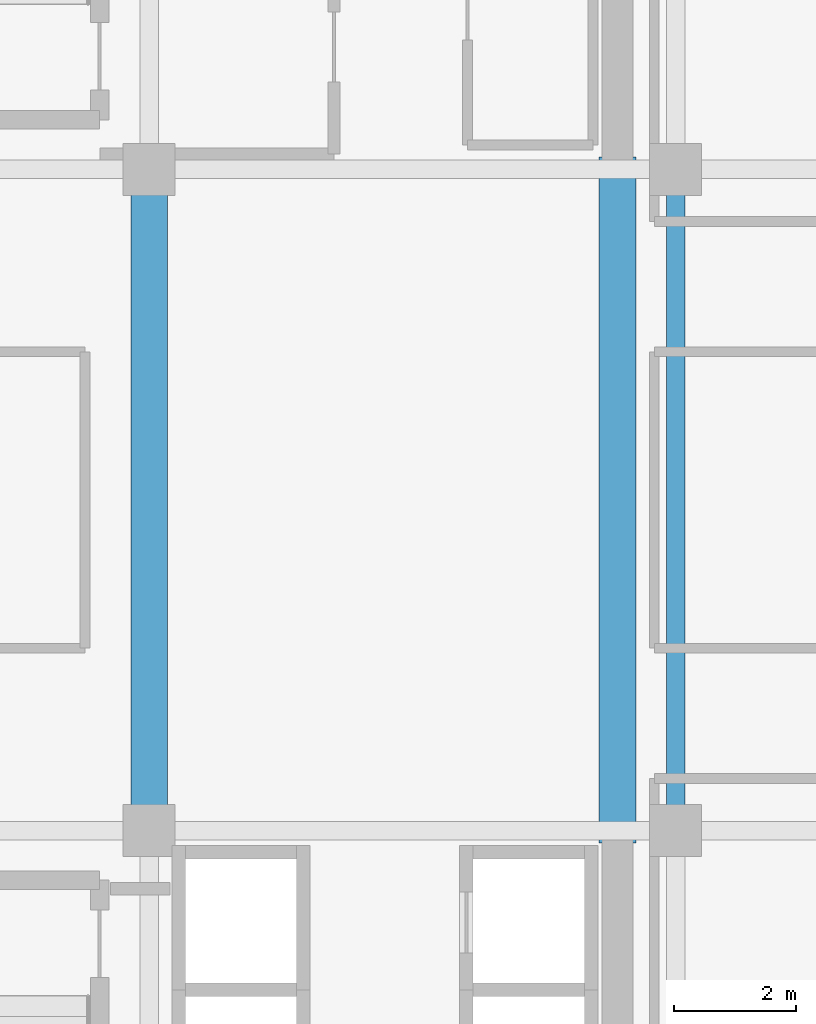
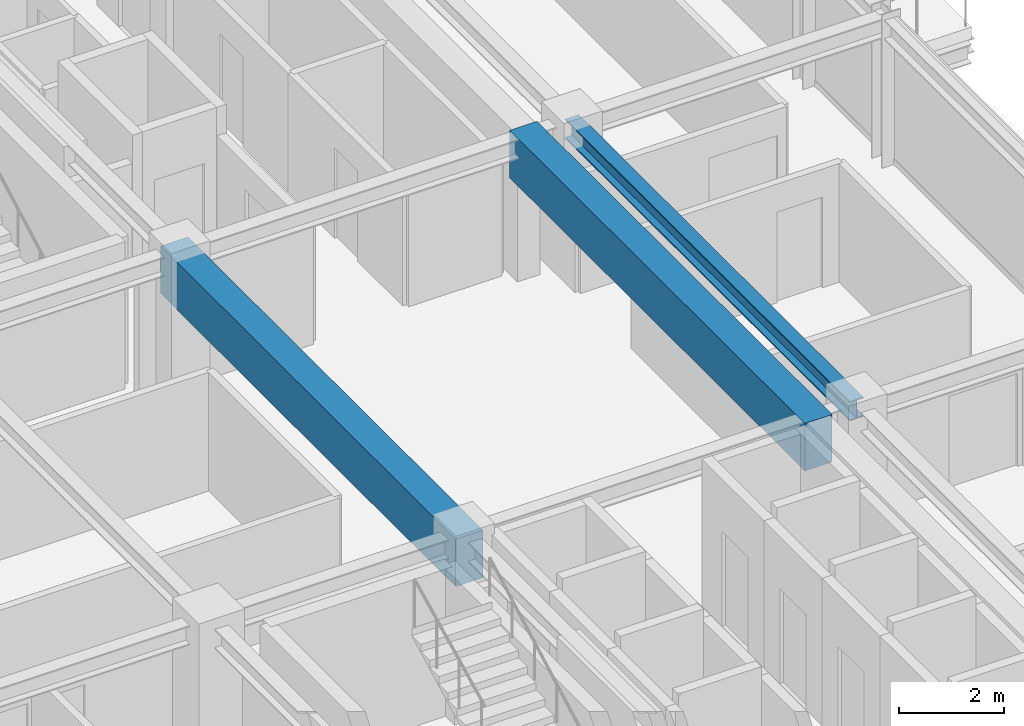
# One storey, part 16 of 36: 3 beams.
"""IFC4 building model written with IfcOpenShell, lengths in metres."""

from ifc_helpers import new_model, si_unit, direction, frame, origin, origin_2d, place, context, subcontext, project, spatial, rectangle, i_section, extrude, source, transform, mapped, material, material_profile, profile_set, type_object, element, save


model = new_model("IFC4")

# Units and contexts
model_context = context("Model", 3, precision=1e-05, world=origin(), true_north=direction((0.0, 1.0)))
body_context = subcontext(model_context, "Body", "Model", "MODEL_VIEW")
ifc_project = project(units=[si_unit("LENGTHUNIT", "METRE"), si_unit("AREAUNIT", "SQUARE_METRE"), si_unit("VOLUMEUNIT", "CUBIC_METRE"), si_unit("PLANEANGLEUNIT", "RADIAN"), si_unit("MASSUNIT", "GRAM", prefix="KILO")], contexts=[model_context])

# Site, building, storey
site_placement = place(None, origin())
site = spatial("IfcSite", under=ifc_project, at=site_placement, CompositionType="ELEMENT")
building_placement = place(site_placement, origin())
building = spatial("IfcBuilding", under=site, at=building_placement, Name="Nahalor Promenade Grand Hotel", CompositionType="ELEMENT")
storey_placement = place(building_placement, frame((0.0, 0.0, 253.0)))
storey = spatial("IfcBuildingStorey", under=building, at=storey_placement, Name="L65", CompositionType="ELEMENT", Elevation=253.0)

# Beams
ifc_material_1 = material(Name="Concrete B-60 (C50/60)", Category="concrete")
ifc_material_profile_1 = material_profile(ifc_material_1, rectangle(XDim=0.6, YDim=1.1, at=origin_2d()), Name="RC 600x1100")
ifc_profile_set_1 = profile_set([ifc_material_profile_1], Name="Concrete B-60 (C50/60)")
beam_type_1 = type_object("IfcBeamType", Name="Beam-Lintel-RC1100", PredefinedType="LINTEL", material=ifc_profile_set_1)
shared_shape_1 = source(origin(), body_context, "Body", "SweptSolid", [
    extrude(rectangle(XDim=0.6, YDim=1.1, at=origin_2d()), origin(), (0.0, 0.0, 1.0), 11.2001953125),
])
for number, where, z_axis, x_axis, name in (
    (1, (8.39990234375, -5.60009765625, 2.860107421875), (0.0, 1.0, 0.0), (-1.0, 0.0, 0.0), "BM-L65-LINT-W"),
    (2, (16.050048828125, -5.60009765625, 2.860107421875), (0.0, 1.0, 0.0), (-1.0, 0.0, 0.0), "BM-L65-LINT-E"),
):
    element("IfcBeam", number, at=place(storey_placement, frame(where, z_axis=z_axis, x_axis=x_axis)), inside=storey, type_object=beam_type_1, Name=name, PredefinedType="LINTEL", context=body_context, shape_type="MappedRepresentation", body=[
        mapped(shared_shape_1, transform((0.0, 0.0, 0.0), scale=1.0)),
    ])
ifc_material_2 = material(Name="Steel S355JR", Category="steel")
ifc_material_profile_2 = material_profile(ifc_material_2, i_section(OverallWidth=0.3, OverallDepth=0.45, WebThickness=0.014, FlangeThickness=0.026, at=origin_2d()), Name="HEB 450")
ifc_profile_set_2 = profile_set([ifc_material_profile_2], Name="Steel S355JR")
beam_type_2 = type_object("IfcBeamType", Name="Beam-Girder-HEB450", PredefinedType="BEAM", material=ifc_profile_set_2)
shared_shape_2 = source(origin(), body_context, "Body", "SweptSolid", [
    extrude(i_section(OverallWidth=0.3, OverallDepth=0.45, WebThickness=0.014, FlangeThickness=0.026, at=origin_2d()), origin(), (0.0, 0.0, 1.0), 10.7998046875),
])
beam_placement = place(storey_placement, frame((17.0, -5.39990234375, 3.18505859375), z_axis=(0.0, 1.0, 0.0), x_axis=(-1.0, 0.0, 0.0)))
element("IfcBeam", 3, at=beam_placement, inside=storey, type_object=beam_type_2, Name="BM-L65-GY-5-2", PredefinedType="BEAM", context=body_context, shape_type="MappedRepresentation", body=[
    mapped(shared_shape_2, transform((0.0, 0.0, 0.0), scale=1.0)),
])

save(model, "model.ifc")
